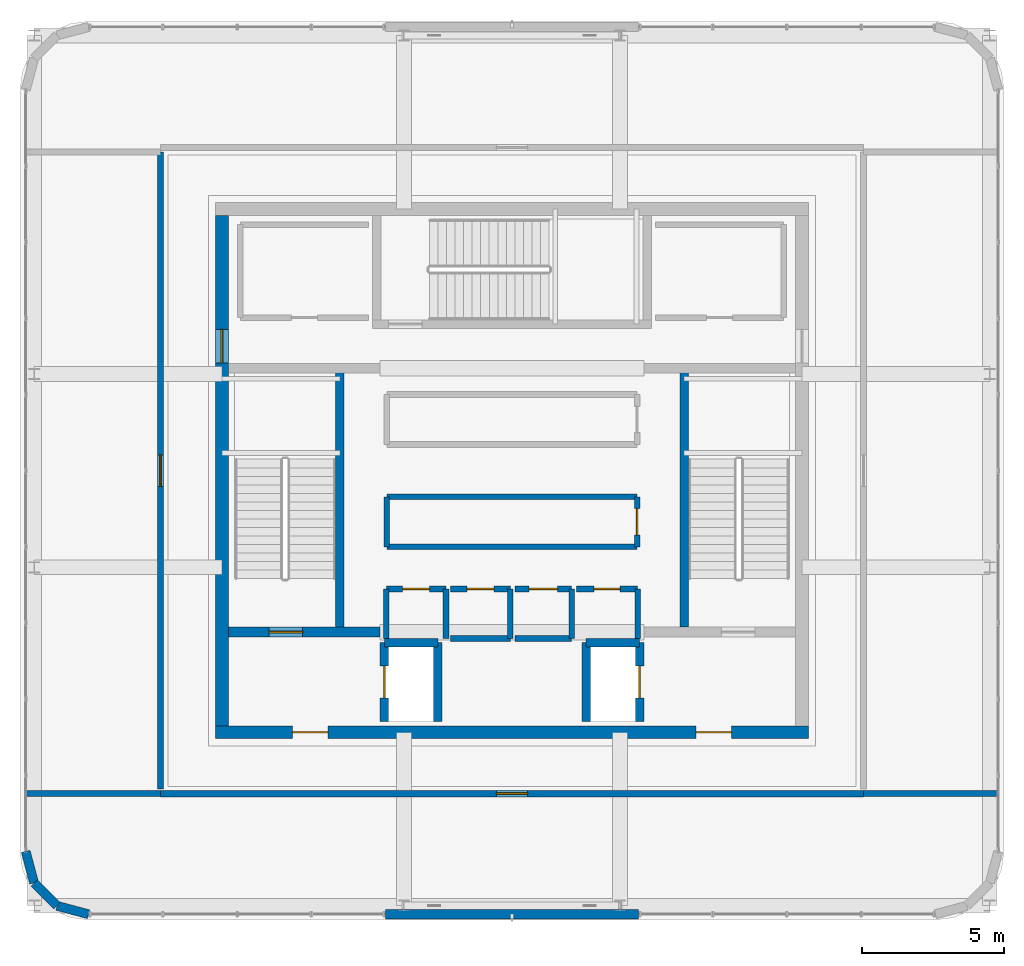
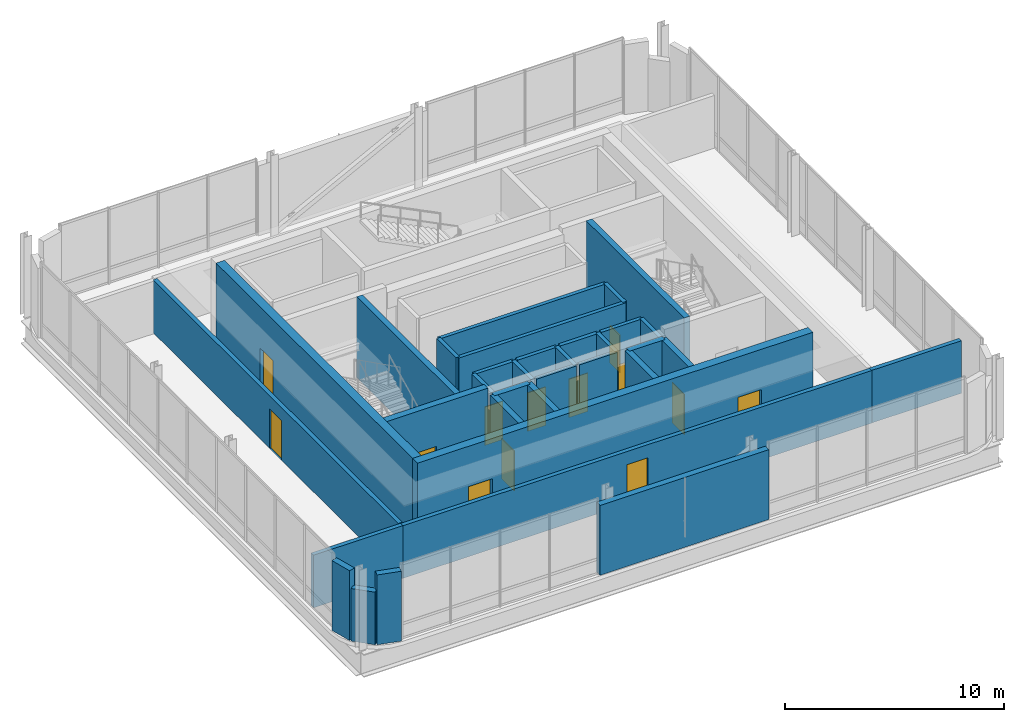
# One storey, part 20 of 25: 34 walls, 13 doors, 13 openings.
"""IFC4 building model written with IfcOpenShell, lengths in metres."""

from ifc_helpers import new_model, si_unit, direction, frame, frame_2d, origin, place, context, subcontext, project, spatial, rectangle, extrude, material, layer, layer_set, type_object, element, fill, save


model = new_model("IFC4")

# Units and contexts
model_context = context("Model", 3, precision=1e-05, world=origin(), true_north=direction((0.0, 1.0)))
body_context = subcontext(model_context, "Body", "Model", "MODEL_VIEW")
ifc_project = project(units=[si_unit("LENGTHUNIT", "METRE"), si_unit("AREAUNIT", "SQUARE_METRE"), si_unit("VOLUMEUNIT", "CUBIC_METRE"), si_unit("PLANEANGLEUNIT", "RADIAN"), si_unit("MASSUNIT", "GRAM", prefix="KILO")], contexts=[model_context])

# Site, building, storey
site_placement = place(None, origin())
site = spatial("IfcSite", under=ifc_project, at=site_placement, CompositionType="ELEMENT")
building_placement = place(site_placement, origin())
building = spatial("IfcBuilding", under=site, at=building_placement, Name="Punatoya Terracotta Tower", CompositionType="ELEMENT")
storey_placement = place(building_placement, frame((0.0, 0.0, 357.300048828125)))
storey = spatial("IfcBuildingStorey", under=building, at=storey_placement, Name="L84", CompositionType="ELEMENT", Elevation=357.300048828125)

# Wall, openings, doors
ifc_material_1 = material(Name="Concrete C50/60", Category="concrete")
ifc_layer_1 = layer(ifc_material_1, 0.449951171875)
ifc_layer_set_1 = layer_set([ifc_layer_1], Name="Concrete C50/60")
wall_type_1 = type_object("IfcWallType", Name="WL-COR-450", PredefinedType="SHEAR", material=ifc_layer_set_1)
wall_1_placement = place(storey_placement, frame((10.425048828125, -9.199951171875, 0.0), z_axis=(0.0, 0.0, 1.0), x_axis=(-1.0, 0.0, 0.0)))
wall_1 = element("IfcWall", 1, at=wall_1_placement, inside=storey, type_object=wall_type_1, Name="L84 Core Shear Wall S", PredefinedType="SHEAR", context=body_context, shape_type="SweptSolid", body=[
    extrude(rectangle(XDim=20.85009765625, YDim=0.449951171875, at=frame_2d((10.425048828125, 0.0))), origin(), (0.0, 0.0, 1.0), 4.5),
])
opening_1_placement = place(wall_1_placement, frame((2.699951171875, 0.0, 0.0)))
opening_1 = element("IfcOpeningElement", 2, at=opening_1_placement, cuts=wall_1, Name="Opening FD-L1", PredefinedType="OPENING", context=body_context, shape_type="SweptSolid", body=[
    extrude(rectangle(XDim=1.25, YDim=2.25, at=frame_2d((0.625, 1.125))), frame((0.0, 0.23486328125, 0.0), z_axis=(0.0, -1.0, 0.0), x_axis=(1.0, 0.0, 0.0)), (0.0, 0.0, 1.0), 0.469970703125),
])
opening_2_placement = place(wall_1_placement, frame((16.89990234375, 0.0, 0.0)))
opening_2 = element("IfcOpeningElement", 3, at=opening_2_placement, cuts=wall_1, Name="Opening FD-L1", PredefinedType="OPENING", context=body_context, shape_type="SweptSolid", body=[
    extrude(rectangle(XDim=1.25, YDim=2.25, at=frame_2d((0.625, 1.125))), frame((0.0, 0.23486328125, 0.0), z_axis=(0.0, -1.0, 0.0), x_axis=(1.0, 0.0, 0.0)), (0.0, 0.0, 1.0), 0.469970703125),
])
ifc_material_2 = material(Name="Galvanised Steel Smokeproof Fire Door", Category="steel")
door_type_1 = type_object("IfcDoorType", Name="DR-FFL-1250", OperationType="NOTDEFINED", PredefinedType="DOOR", material=ifc_material_2)
door_1_placement = place(opening_1_placement, origin())
door_1 = element("IfcDoor", 4, at=door_1_placement, inside=storey, type_object=door_type_1, Name="L84 East Firefighting Lobby Corridor Fire Door", OperationType="SINGLE_SWING_LEFT", OverallHeight=2.25, OverallWidth=1.25, PredefinedType="DOOR", context=body_context, shape_type="SweptSolid", body=[
    extrude(rectangle(XDim=1.25, YDim=2.25, at=frame_2d((0.625, 1.125))), frame((0.0, 0.02490234375, 0.0), z_axis=(0.0, -1.0, 0.0), x_axis=(1.0, 0.0, 0.0)), (0.0, 0.0, 1.0), 0.050048828125),
])
fill(opening_1, door_1)
door_2_placement = place(opening_2_placement, origin())
door_2 = element("IfcDoor", 5, at=door_2_placement, inside=storey, type_object=door_type_1, Name="L84 West Firefighting Lobby Corridor Fire Door", OperationType="SINGLE_SWING_RIGHT", OverallHeight=2.25, OverallWidth=1.25, PredefinedType="DOOR", context=body_context, shape_type="SweptSolid", body=[
    extrude(rectangle(XDim=1.25, YDim=2.25, at=frame_2d((0.625, 1.125))), frame((0.0, 0.02490234375, 0.0), z_axis=(0.0, -1.0, 0.0), x_axis=(1.0, 0.0, 0.0)), (0.0, 0.0, 1.0), 0.050048828125),
])
fill(opening_2, door_2)

# Wall, opening, door
wall_2_placement = place(storey_placement, frame((-10.199951171875, -8.97509765625, 0.0), z_axis=(0.0, 0.0, 1.0), x_axis=(0.0, 1.0, 0.0)))
wall_2 = element("IfcWall", 6, at=wall_2_placement, inside=storey, type_object=wall_type_1, Name="L84 Core Shear Wall W", PredefinedType="SHEAR", context=body_context, shape_type="SweptSolid", body=[
    extrude(rectangle(XDim=17.9501953125, YDim=0.449951171875, at=frame_2d((8.97509765625, 0.0))), origin(), (0.0, 0.0, 1.0), 4.5),
])
opening_3_placement = place(wall_2_placement, frame((12.764892578125, 0.0, 0.0)))
opening_3 = element("IfcOpeningElement", 7, at=opening_3_placement, cuts=wall_2, Name="Opening SD-01", PredefinedType="OPENING", context=body_context, shape_type="SweptSolid", body=[
    extrude(rectangle(XDim=1.179931640625, YDim=2.199951171875, at=frame_2d((0.58984375, 1.10009765625))), frame((0.0, 0.23486328125, 0.0), z_axis=(0.0, -1.0, 0.0), x_axis=(1.0, 0.0, 0.0)), (0.0, 0.0, 1.0), 0.469970703125),
])
ifc_material_3 = material(Name="Galvanised Steel Pressurized Stair Fire Door", Category="steel")
door_type_2 = type_object("IfcDoorType", Name="DR-STR-1180", OperationType="NOTDEFINED", PredefinedType="DOOR", material=ifc_material_3)
door_3_placement = place(opening_3_placement, origin())
door_3 = element("IfcDoor", 8, at=door_3_placement, inside=storey, type_object=door_type_2, Name="L84 Central Lift Lobby West Fire Door", OperationType="SINGLE_SWING_LEFT", OverallHeight=2.199951171875, OverallWidth=1.179931640625, PredefinedType="DOOR", context=body_context, shape_type="SweptSolid", body=[
    extrude(rectangle(XDim=1.179931640625, YDim=2.199951171875, at=frame_2d((0.58984375, 1.10009765625))), frame((0.0, 0.02490234375, 0.0), z_axis=(0.0, -1.0, 0.0), x_axis=(1.0, 0.0, 0.0)), (0.0, 0.0, 1.0), 0.050048828125),
])
fill(opening_3, door_3)

# Walls
ifc_material_4 = material(Name="Precast concrete C40/50", Category="concrete")
ifc_layer_2 = layer(ifc_material_4, 0.320068359375)
ifc_layer_set_2 = layer_set([ifc_layer_2], Name="Precast concrete C40/50")
wall_type_2 = type_object("IfcWallType", Name="WL-EXT-320", PredefinedType="SOLIDWALL", material=ifc_layer_set_2)
wall_3_placement = place(storey_placement, frame((-4.449951171875, -15.60009765625, 0.0), z_axis=(0.0, 0.0, 1.0), x_axis=(1.0, 0.0, 0.0)))
element("IfcWall", 9, at=wall_3_placement, inside=storey, type_object=wall_type_2, Name="L84 Terracotta Braced Facade Wall S1", PredefinedType="SOLIDWALL", context=body_context, shape_type="SweptSolid", body=[
    extrude(rectangle(XDim=8.89990234375, YDim=0.320068359375, at=frame_2d((4.449951171875, 0.0))), origin(), (0.0, 0.0, 1.0), 3.89404296875),
])
wall_4_placement = place(storey_placement, frame((-17.10009765625, -13.386962890625, 0.0), z_axis=(0.0, 0.0, 1.0), x_axis=(0.257530614576, -0.966270139534, 0.0)))
element("IfcWall", 10, at=wall_4_placement, inside=storey, type_object=wall_type_2, Name="L84 Rounded Terracotta Corner Pier 14", PredefinedType="SOLIDWALL", context=body_context, shape_type="SweptSolid", body=[
    extrude(rectangle(XDim=1.15087890625, YDim=0.320068359375, at=frame_2d((0.575439453125, 0.0))), origin(), (0.0, 0.0, 1.0), 3.89404296875),
])
wall_5_placement = place(storey_placement, frame((-16.8037109375, -14.4990234375, 0.0), z_axis=(0.0, 0.0, 1.0), x_axis=(0.707106781187, -0.707106781187, 0.0)))
element("IfcWall", 11, at=wall_5_placement, inside=storey, type_object=wall_type_2, Name="L84 Rounded Terracotta Corner Pier 15", PredefinedType="SOLIDWALL", context=body_context, shape_type="SweptSolid", body=[
    extrude(rectangle(XDim=1.137939453125, YDim=0.320068359375, at=frame_2d((0.56884765625, 0.0))), origin(), (0.0, 0.0, 1.0), 2.933837890625),
])
wall_6_placement = place(storey_placement, frame((-15.9990234375, -15.3037109375, 0.0), z_axis=(0.0, 0.0, 1.0), x_axis=(0.966270139534, -0.257530614576, 0.0)))
element("IfcWall", 12, at=wall_6_placement, inside=storey, type_object=wall_type_2, Name="L84 Rounded Terracotta Corner Pier 16", PredefinedType="SOLIDWALL", context=body_context, shape_type="SweptSolid", body=[
    extrude(rectangle(XDim=1.15087890625, YDim=0.320068359375, at=frame_2d((0.575439453125, 0.0))), origin(), (0.0, 0.0, 1.0), 3.89404296875),
])
ifc_material_5 = material(Name="Concrete C40/50", Category="concrete")
ifc_layer_3 = layer(ifc_material_5, 0.219970703125)
ifc_layer_set_3 = layer_set([ifc_layer_3], Name="Concrete C40/50")
wall_type_3 = type_object("IfcWallType", Name="WL-FIR-220", PredefinedType="SOLIDWALL", material=ifc_layer_set_3)
wall_7_placement = place(storey_placement, frame((-17.080078125, -11.35009765625, 0.0), z_axis=(0.0, 0.0, 1.0), x_axis=(1.0, 0.0, 0.0)))
element("IfcWall", 13, at=wall_7_placement, inside=storey, type_object=wall_type_3, Name="L84 Crown South Heat-Rejection and Cooling-Tower Plant Partition 26", PredefinedType="SOLIDWALL", context=body_context, shape_type="SweptSolid", body=[
    extrude(rectangle(XDim=4.719970703125, YDim=0.219970703125, at=frame_2d((2.35986328125, 0.0))), origin(), (0.0, 0.0, 1.0), 2.933837890625),
])

# Wall, opening, door
wall_8_placement = place(storey_placement, frame((-12.360107421875, -11.360107421875, 0.0), z_axis=(0.0, 0.0, 1.0), x_axis=(1.0, 0.0, 0.0)))
wall_8 = element("IfcWall", 14, at=wall_8_placement, inside=storey, type_object=wall_type_3, Name="L84 Crown South Heat-Rejection and Cooling-Tower Plant Partition 27", PredefinedType="SOLIDWALL", context=body_context, shape_type="SweptSolid", body=[
    extrude(rectangle(XDim=24.72021484375, YDim=0.219970703125, at=frame_2d((12.360107421875, 0.0))), origin(), (0.0, 0.0, 1.0), 2.933837890625),
])
opening_4_placement = place(wall_8_placement, frame((11.81005859375, 0.0, 0.0)))
opening_4 = element("IfcOpeningElement", 15, at=opening_4_placement, cuts=wall_8, Name="Opening FD-P1", PredefinedType="OPENING", context=body_context, shape_type="SweptSolid", body=[
    extrude(rectangle(XDim=1.10009765625, YDim=2.199951171875, at=frame_2d((0.550048828125, 1.10009765625))), frame((0.0, 0.119873046875, 0.0), z_axis=(0.0, -1.0, 0.0), x_axis=(1.0, 0.0, 0.0)), (0.0, 0.0, 1.0), 0.239990234375),
])
ifc_material_6 = material(Name="Galvanised Steel Plant Fire Door", Category="steel")
door_type_3 = type_object("IfcDoorType", Name="DR-PLT-1100", OperationType="NOTDEFINED", PredefinedType="DOOR", material=ifc_material_6)
door_4_placement = place(opening_4_placement, origin())
door_4 = element("IfcDoor", 16, at=door_4_placement, inside=storey, type_object=door_type_3, Name="L84 Crown South Heat-Rejection and Cooling-Tower Plant Fire Door", OperationType="SINGLE_SWING_RIGHT", OverallHeight=2.199951171875, OverallWidth=1.10009765625, PredefinedType="DOOR", context=body_context, shape_type="SweptSolid", body=[
    extrude(rectangle(XDim=1.10009765625, YDim=2.199951171875, at=frame_2d((0.550048828125, 1.10009765625))), frame((0.0, 0.02490234375, 0.0), z_axis=(0.0, -1.0, 0.0), x_axis=(1.0, 0.0, 0.0)), (0.0, 0.0, 1.0), 0.050048828125),
])
fill(opening_4, door_4)

# Wall
wall_9_placement = place(storey_placement, frame((12.360107421875, -11.35009765625, 0.0), z_axis=(0.0, 0.0, 1.0), x_axis=(1.0, 0.0, 0.0)))
element("IfcWall", 17, at=wall_9_placement, inside=storey, type_object=wall_type_3, Name="L84 Crown South Heat-Rejection and Cooling-Tower Plant Partition 28", PredefinedType="SOLIDWALL", context=body_context, shape_type="SweptSolid", body=[
    extrude(rectangle(XDim=4.719970703125, YDim=0.219970703125, at=frame_2d((2.35986328125, 0.0))), origin(), (0.0, 0.0, 1.0), 2.933837890625),
])

# Wall, opening, door
wall_10_placement = place(storey_placement, frame((-12.360107421875, 11.199951171875, 0.0), z_axis=(0.0, 0.0, 1.0), x_axis=(0.0, -1.0, 0.0)))
wall_10 = element("IfcWall", 18, at=wall_10_placement, inside=storey, type_object=wall_type_3, Name="L84 Crown West Smoke-Extract and Fan Plant Room Partition 30", PredefinedType="SOLIDWALL", context=body_context, shape_type="SweptSolid", body=[
    extrude(rectangle(XDim=22.39990234375, YDim=0.219970703125, at=frame_2d((11.199951171875, 0.0))), origin(), (0.0, 0.0, 1.0), 2.933837890625),
])
opening_5_placement = place(wall_10_placement, frame((10.64990234375, 0.0, 0.0)))
opening_5 = element("IfcOpeningElement", 19, at=opening_5_placement, cuts=wall_10, Name="Opening FD-P1", PredefinedType="OPENING", context=body_context, shape_type="SweptSolid", body=[
    extrude(rectangle(XDim=1.10009765625, YDim=2.199951171875, at=frame_2d((0.550048828125, 1.10009765625))), frame((0.0, 0.119873046875, 0.0), z_axis=(0.0, -1.0, 0.0), x_axis=(1.0, 0.0, 0.0)), (0.0, 0.0, 1.0), 0.239990234375),
])
door_5_placement = place(opening_5_placement, origin())
door_5 = element("IfcDoor", 20, at=door_5_placement, inside=storey, type_object=door_type_3, Name="L84 Crown West Smoke-Extract and Fan Plant Room Fire Door", OperationType="SINGLE_SWING_LEFT", OverallHeight=2.199951171875, OverallWidth=1.10009765625, PredefinedType="DOOR", context=body_context, shape_type="SweptSolid", body=[
    extrude(rectangle(XDim=1.10009765625, YDim=2.199951171875, at=frame_2d((0.550048828125, 1.10009765625))), frame((0.0, 0.02490234375, 0.0), z_axis=(0.0, -1.0, 0.0), x_axis=(1.0, 0.0, 0.0)), (0.0, 0.0, 1.0), 0.050048828125),
])
fill(opening_5, door_5)

# Wall
ifc_layer_4 = layer(ifc_material_5, 0.199951171875)
ifc_layer_set_4 = layer_set([ifc_layer_4], Name="Concrete C40/50")
wall_type_4 = type_object("IfcWallType", Name="WL-INT-200", PredefinedType="SOLIDWALL", material=ifc_layer_set_4)
wall_11_placement = place(storey_placement, frame((-2.320068359375, -5.89990234375, 0.0), z_axis=(0.0, 0.0, 1.0), x_axis=(0.0, 1.0, 0.0)))
element("IfcWall", 21, at=wall_11_placement, inside=storey, type_object=wall_type_4, Name="L84 Staff Male Washroom Partition 01", PredefinedType="SOLIDWALL", context=body_context, shape_type="SweptSolid", body=[
    extrude(rectangle(XDim=1.739990234375, YDim=0.199951171875, at=frame_2d((0.8701171875, 0.0))), origin(), (0.0, 0.0, 1.0), 4.219970703125),
])

# Wall, opening, door
wall_12_placement = place(storey_placement, frame((-2.320068359375, -4.159912109375, 0.0), z_axis=(0.0, 0.0, 1.0), x_axis=(-1.0, 0.0, 0.0)))
wall_12 = element("IfcWall", 22, at=wall_12_placement, inside=storey, type_object=wall_type_4, Name="L84 Staff Male Washroom Partition 02", PredefinedType="SOLIDWALL", context=body_context, shape_type="SweptSolid", body=[
    extrude(rectangle(XDim=2.099853515625, YDim=0.199951171875, at=frame_2d((1.0498046875, 0.0))), origin(), (0.0, 0.0, 1.0), 4.219970703125),
])
opening_6_placement = place(wall_12_placement, frame((0.574951171875, 0.0, 0.0)))
opening_6 = element("IfcOpeningElement", 23, at=opening_6_placement, cuts=wall_12, Name="Opening WD-01", PredefinedType="OPENING", context=body_context, shape_type="SweptSolid", body=[
    extrude(rectangle(XDim=0.949951171875, YDim=2.14990234375, at=frame_2d((0.47509765625, 1.074951171875))), frame((0.0, 0.10986328125, 0.0), z_axis=(0.0, -1.0, 0.0), x_axis=(1.0, 0.0, 0.0)), (0.0, 0.0, 1.0), 0.219970703125),
])
ifc_material_7 = material(Name="Moisture-Resistant Laminate Timber Leaf", Category="wood")
door_type_4 = type_object("IfcDoorType", Name="DR-WC-950", OperationType="NOTDEFINED", PredefinedType="DOOR", material=ifc_material_7)
door_6_placement = place(opening_6_placement, origin())
door_6 = element("IfcDoor", 24, at=door_6_placement, inside=storey, type_object=door_type_4, Name="L84 Staff Male Washroom Door", OperationType="SINGLE_SWING_RIGHT", OverallHeight=2.14990234375, OverallWidth=0.949951171875, PredefinedType="DOOR", context=body_context, shape_type="SweptSolid", body=[
    extrude(rectangle(XDim=0.949951171875, YDim=2.14990234375, at=frame_2d((0.47509765625, 1.074951171875))), frame((0.0, 0.02490234375, 0.0), z_axis=(0.0, -1.0, 0.0), x_axis=(1.0, 0.0, 0.0)), (0.0, 0.0, 1.0), 0.050048828125),
])
fill(opening_6, door_6)

# Walls
for number, where, z_axis, x_axis, name in (
    (25, (-4.419921875, -4.159912109375, 0.0), (0.0, 0.0, 1.0), (0.0, -1.0, 0.0), "L84 Staff Male Washroom Partition 03"),
    (26, (-0.06005859375, -5.89990234375, 0.0), (0.0, 0.0, 1.0), (0.0, 1.0, 0.0), "L84 Staff Female Washroom Partition 04"),
):
    element("IfcWall", number, at=place(storey_placement, frame(where, z_axis=z_axis, x_axis=x_axis)), inside=storey, type_object=wall_type_4, Name=name, PredefinedType="SOLIDWALL", context=body_context, shape_type="SweptSolid", body=[
        extrude(rectangle(XDim=1.739990234375, YDim=0.199951171875, at=frame_2d((0.8701171875, 0.0))), origin(), (0.0, 0.0, 1.0), 4.219970703125),
    ])

# Wall, opening, door
wall_13_placement = place(storey_placement, frame((-0.06005859375, -4.159912109375, 0.0), z_axis=(0.0, 0.0, 1.0), x_axis=(-1.0, 0.0, 0.0)))
wall_13 = element("IfcWall", 27, at=wall_13_placement, inside=storey, type_object=wall_type_4, Name="L84 Staff Female Washroom Partition 05", PredefinedType="SOLIDWALL", context=body_context, shape_type="SweptSolid", body=[
    extrude(rectangle(XDim=2.099853515625, YDim=0.199951171875, at=frame_2d((1.0498046875, 0.0))), origin(), (0.0, 0.0, 1.0), 4.219970703125),
])
opening_7_placement = place(wall_13_placement, frame((0.574951171875, 0.0, 0.0)))
opening_7 = element("IfcOpeningElement", 28, at=opening_7_placement, cuts=wall_13, Name="Opening WD-01", PredefinedType="OPENING", context=body_context, shape_type="SweptSolid", body=[
    extrude(rectangle(XDim=0.949951171875, YDim=2.14990234375, at=frame_2d((0.47509765625, 1.074951171875))), frame((0.0, 0.10986328125, 0.0), z_axis=(0.0, -1.0, 0.0), x_axis=(1.0, 0.0, 0.0)), (0.0, 0.0, 1.0), 0.219970703125),
])
door_7_placement = place(opening_7_placement, origin())
door_7 = element("IfcDoor", 29, at=door_7_placement, inside=storey, type_object=door_type_4, Name="L84 Staff Female Washroom Door", OperationType="SINGLE_SWING_LEFT", OverallHeight=2.14990234375, OverallWidth=0.949951171875, PredefinedType="DOOR", context=body_context, shape_type="SweptSolid", body=[
    extrude(rectangle(XDim=0.949951171875, YDim=2.14990234375, at=frame_2d((0.47509765625, 1.074951171875))), frame((0.0, 0.02490234375, 0.0), z_axis=(0.0, -1.0, 0.0), x_axis=(1.0, 0.0, 0.0)), (0.0, 0.0, 1.0), 0.050048828125),
])
fill(opening_7, door_7)

# Walls
wall_14_placement = place(storey_placement, frame((-2.159912109375, -5.89990234375, 0.0), z_axis=(0.0, 0.0, 1.0), x_axis=(1.0, 0.0, 0.0)))
element("IfcWall", 30, at=wall_14_placement, inside=storey, type_object=wall_type_4, Name="L84 Staff Female Washroom Partition 06", PredefinedType="SOLIDWALL", context=body_context, shape_type="SweptSolid", body=[
    extrude(rectangle(XDim=2.099853515625, YDim=0.199951171875, at=frame_2d((1.0498046875, 0.0))), origin(), (0.0, 0.0, 1.0), 4.219970703125),
])
wall_15_placement = place(storey_placement, frame((2.10009765625, -5.89990234375, 0.0), z_axis=(0.0, 0.0, 1.0), x_axis=(0.0, 1.0, 0.0)))
element("IfcWall", 31, at=wall_15_placement, inside=storey, type_object=wall_type_4, Name="L84 Accessible Universal Washroom Partition 07", PredefinedType="SOLIDWALL", context=body_context, shape_type="SweptSolid", body=[
    extrude(rectangle(XDim=1.739990234375, YDim=0.199951171875, at=frame_2d((0.8701171875, 0.0))), origin(), (0.0, 0.0, 1.0), 4.219970703125),
])

# Wall, opening, door
wall_16_placement = place(storey_placement, frame((2.10009765625, -4.159912109375, 0.0), z_axis=(0.0, 0.0, 1.0), x_axis=(-1.0, 0.0, 0.0)))
wall_16 = element("IfcWall", 32, at=wall_16_placement, inside=storey, type_object=wall_type_4, Name="L84 Accessible Universal Washroom Partition 08", PredefinedType="SOLIDWALL", context=body_context, shape_type="SweptSolid", body=[
    extrude(rectangle(XDim=2.0, YDim=0.199951171875, at=frame_2d((1.0, 0.0))), origin(), (0.0, 0.0, 1.0), 4.219970703125),
])
opening_8_placement = place(wall_16_placement, frame((0.5, 0.0, 0.0)))
opening_8 = element("IfcOpeningElement", 33, at=opening_8_placement, cuts=wall_16, Name="Opening AWD-1", PredefinedType="OPENING", context=body_context, shape_type="SweptSolid", body=[
    extrude(rectangle(XDim=1.0, YDim=2.14990234375, at=frame_2d((0.5, 1.074951171875))), frame((0.0, 0.10986328125, 0.0), z_axis=(0.0, -1.0, 0.0), x_axis=(1.0, 0.0, 0.0)), (0.0, 0.0, 1.0), 0.219970703125),
])
ifc_material_8 = material(Name="Bengal Teak Accessible WC Leaf")
door_type_5 = type_object("IfcDoorType", Name="DR-ACC-1000", OperationType="NOTDEFINED", PredefinedType="DOOR", material=ifc_material_8)
door_8_placement = place(opening_8_placement, origin())
door_8 = element("IfcDoor", 34, at=door_8_placement, inside=storey, type_object=door_type_5, Name="L84 Accessible Universal Washroom Door", OperationType="SINGLE_SWING_RIGHT", OverallHeight=2.14990234375, OverallWidth=1.0, PredefinedType="DOOR", context=body_context, shape_type="SweptSolid", body=[
    extrude(rectangle(XDim=1.0, YDim=2.14990234375, at=frame_2d((0.5, 1.074951171875))), frame((0.0, 0.02490234375, 0.0), z_axis=(0.0, -1.0, 0.0), x_axis=(1.0, 0.0, 0.0)), (0.0, 0.0, 1.0), 0.050048828125),
])
fill(opening_8, door_8)

# Walls
wall_17_placement = place(storey_placement, frame((0.10009765625, -5.89990234375, 0.0), z_axis=(0.0, 0.0, 1.0), x_axis=(1.0, 0.0, 0.0)))
element("IfcWall", 35, at=wall_17_placement, inside=storey, type_object=wall_type_4, Name="L84 Accessible Universal Washroom Partition 09", PredefinedType="SOLIDWALL", context=body_context, shape_type="SweptSolid", body=[
    extrude(rectangle(XDim=2.0, YDim=0.199951171875, at=frame_2d((1.0, 0.0))), origin(), (0.0, 0.0, 1.0), 4.219970703125),
])
wall_18_placement = place(storey_placement, frame((4.419921875, -5.89990234375, 0.0), z_axis=(0.0, 0.0, 1.0), x_axis=(0.0, 1.0, 0.0)))
element("IfcWall", 36, at=wall_18_placement, inside=storey, type_object=wall_type_4, Name="L84 Core Electrical Switchgear Room Partition 10", PredefinedType="SOLIDWALL", context=body_context, shape_type="SweptSolid", body=[
    extrude(rectangle(XDim=1.739990234375, YDim=0.199951171875, at=frame_2d((0.8701171875, 0.0))), origin(), (0.0, 0.0, 1.0), 4.219970703125),
])

# Wall, opening, door
wall_19_placement = place(storey_placement, frame((4.419921875, -4.159912109375, 0.0), z_axis=(0.0, 0.0, 1.0), x_axis=(-1.0, 0.0, 0.0)))
wall_19 = element("IfcWall", 37, at=wall_19_placement, inside=storey, type_object=wall_type_4, Name="L84 Core Electrical Switchgear Room Partition 11", PredefinedType="SOLIDWALL", context=body_context, shape_type="SweptSolid", body=[
    extrude(rectangle(XDim=2.159912109375, YDim=0.199951171875, at=frame_2d((1.080078125, 0.0))), origin(), (0.0, 0.0, 1.0), 4.219970703125),
])
opening_9_placement = place(wall_19_placement, frame((0.6201171875, 0.0, 0.0)))
opening_9 = element("IfcOpeningElement", 38, at=opening_9_placement, cuts=wall_19, Name="Opening FD-R1", PredefinedType="OPENING", context=body_context, shape_type="SweptSolid", body=[
    extrude(rectangle(XDim=0.919921875, YDim=2.10009765625, at=frame_2d((0.4599609375, 1.050048828125))), frame((0.0, 0.10986328125, 0.0), z_axis=(0.0, -1.0, 0.0), x_axis=(1.0, 0.0, 0.0)), (0.0, 0.0, 1.0), 0.219970703125),
])
ifc_material_9 = material(Name="Galvanised Steel Riser Fire Access Door", Category="steel")
door_type_6 = type_object("IfcDoorType", Name="DR-RSR-920", OperationType="NOTDEFINED", PredefinedType="DOOR", material=ifc_material_9)
door_9_placement = place(opening_9_placement, origin())
door_9 = element("IfcDoor", 39, at=door_9_placement, inside=storey, type_object=door_type_6, Name="L84 Core Electrical Switchgear Room Fire Door", OperationType="SINGLE_SWING_LEFT", OverallHeight=2.10009765625, OverallWidth=0.919921875, PredefinedType="DOOR", context=body_context, shape_type="SweptSolid", body=[
    extrude(rectangle(XDim=0.919921875, YDim=2.10009765625, at=frame_2d((0.4599609375, 1.050048828125))), frame((0.0, 0.02490234375, 0.0), z_axis=(0.0, -1.0, 0.0), x_axis=(1.0, 0.0, 0.0)), (0.0, 0.0, 1.0), 0.050048828125),
])
fill(opening_9, door_9)

wall_20_placement = place(storey_placement, frame((4.39990234375, -2.679931640625, 0.0), z_axis=(0.0, 0.0, 1.0), x_axis=(0.0, 1.0, 0.0)))
wall_20 = element("IfcWall", 40, at=wall_20_placement, inside=storey, type_object=wall_type_4, Name="L84 Crown Emergency Power Switchroom Partition 12", PredefinedType="SOLIDWALL", context=body_context, shape_type="SweptSolid", body=[
    extrude(rectangle(XDim=1.760009765625, YDim=0.199951171875, at=frame_2d((0.8798828125, 0.0))), origin(), (0.0, 0.0, 1.0), 4.219970703125),
])
opening_10_placement = place(wall_20_placement, frame((0.419921875, 0.0, 0.0)))
opening_10 = element("IfcOpeningElement", 41, at=opening_10_placement, cuts=wall_20, Name="Opening FD-R1", PredefinedType="OPENING", context=body_context, shape_type="SweptSolid", body=[
    extrude(rectangle(XDim=0.919921875, YDim=2.10009765625, at=frame_2d((0.4599609375, 1.050048828125))), frame((0.0, 0.10986328125, 0.0), z_axis=(0.0, -1.0, 0.0), x_axis=(1.0, 0.0, 0.0)), (0.0, 0.0, 1.0), 0.219970703125),
])
door_10_placement = place(opening_10_placement, origin())
door_10 = element("IfcDoor", 42, at=door_10_placement, inside=storey, type_object=door_type_6, Name="L84 Crown Emergency Power Switchroom Fire Door", OperationType="SINGLE_SWING_RIGHT", OverallHeight=2.10009765625, OverallWidth=0.919921875, PredefinedType="DOOR", context=body_context, shape_type="SweptSolid", body=[
    extrude(rectangle(XDim=0.919921875, YDim=2.10009765625, at=frame_2d((0.4599609375, 1.050048828125))), frame((0.0, 0.02490234375, 0.0), z_axis=(0.0, -1.0, 0.0), x_axis=(1.0, 0.0, 0.0)), (0.0, 0.0, 1.0), 0.050048828125),
])
fill(opening_10, door_10)

# Walls
wall_21_placement = place(storey_placement, frame((4.39990234375, -0.919921875, 0.0), z_axis=(0.0, 0.0, 1.0), x_axis=(-1.0, 0.0, 0.0)))
element("IfcWall", 43, at=wall_21_placement, inside=storey, type_object=wall_type_4, Name="L84 Crown Emergency Power Switchroom Partition 13", PredefinedType="SOLIDWALL", context=body_context, shape_type="SweptSolid", body=[
    extrude(rectangle(XDim=8.7998046875, YDim=0.199951171875, at=frame_2d((4.39990234375, 0.0))), origin(), (0.0, 0.0, 1.0), 4.219970703125),
])
wall_22_placement = place(storey_placement, frame((-4.39990234375, -0.919921875, 0.0), z_axis=(0.0, 0.0, 1.0), x_axis=(0.0, -1.0, 0.0)))
element("IfcWall", 44, at=wall_22_placement, inside=storey, type_object=wall_type_4, Name="L84 Crown Emergency Power Switchroom Partition 14", PredefinedType="SOLIDWALL", context=body_context, shape_type="SweptSolid", body=[
    extrude(rectangle(XDim=1.760009765625, YDim=0.199951171875, at=frame_2d((0.8798828125, 0.0))), origin(), (0.0, 0.0, 1.0), 4.219970703125),
])
wall_23_placement = place(storey_placement, frame((-4.39990234375, -2.679931640625, 0.0), z_axis=(0.0, 0.0, 1.0), x_axis=(1.0, 0.0, 0.0)))
element("IfcWall", 45, at=wall_23_placement, inside=storey, type_object=wall_type_4, Name="L84 Crown Emergency Power Switchroom Partition 15", PredefinedType="SOLIDWALL", context=body_context, shape_type="SweptSolid", body=[
    extrude(rectangle(XDim=8.7998046875, YDim=0.199951171875, at=frame_2d((4.39990234375, 0.0))), origin(), (0.0, 0.0, 1.0), 4.219970703125),
])
ifc_layer_5 = layer(ifc_material_5, 0.300048828125)
ifc_layer_set_5 = layer_set([ifc_layer_5], Name="Concrete C40/50")
wall_type_5 = type_object("IfcWallType", Name="WL-SHF-300", PredefinedType="SOLIDWALL", material=ifc_layer_set_5)
for number, where, z_axis, x_axis, name in (
    (46, (-6.050048828125, -5.5, 0.0), (0.0, 0.0, 1.0), (0.0, 1.0, 0.0), "L84 Structural Stair Shaft Wall SW-ST1-E"),
    (47, (6.050048828125, 3.449951171875, 0.0), (0.0, 0.0, 1.0), (0.0, -1.0, 0.0), "L84 Structural Stair Shaft Wall SW-ST2-W"),
):
    element("IfcWall", number, at=place(storey_placement, frame(where, z_axis=z_axis, x_axis=x_axis)), inside=storey, type_object=wall_type_5, Name=name, PredefinedType="SOLIDWALL", context=body_context, shape_type="SweptSolid", body=[
        extrude(rectangle(XDim=8.949951171875, YDim=0.300048828125, at=frame_2d((4.47509765625, 0.0))), origin(), (0.0, 0.0, 1.0), 4.5),
    ])

# Wall, opening, door
wall_24_placement = place(storey_placement, frame((-4.489990234375, -8.820068359375, 0.0), z_axis=(0.0, 0.0, 1.0), x_axis=(0.0, 1.0, 0.0)))
wall_24 = element("IfcWall", 48, at=wall_24_placement, inside=storey, type_object=wall_type_5, Name="L84 FFL-1 Front Hoistway Wall", PredefinedType="SOLIDWALL", context=body_context, shape_type="SweptSolid", body=[
    extrude(rectangle(XDim=2.77001953125, YDim=0.300048828125, at=frame_2d((1.385009765625, 0.0))), origin(), (0.0, 0.0, 1.0), 4.219970703125),
])
opening_11_placement = place(wall_24_placement, frame((0.824951171875, 0.0, 0.0)))
opening_11 = element("IfcOpeningElement", 49, at=opening_11_placement, cuts=wall_24, Name="Opening LD-02", PredefinedType="OPENING", context=body_context, shape_type="SweptSolid", body=[
    extrude(rectangle(XDim=1.1201171875, YDim=2.25, at=frame_2d((0.56005859375, 1.125))), frame((0.0, 0.159912109375, 0.0), z_axis=(0.0, -1.0, 0.0), x_axis=(1.0, 0.0, 0.0)), (0.0, 0.0, 1.0), 0.320068359375),
])
ifc_material_10 = material(Name="Stainless Steel Lift Landing Door", Category="steel")
door_type_7 = type_object("IfcDoorType", Name="DR-LND-1120", OperationType="NOTDEFINED", PredefinedType="DOOR", material=ifc_material_10)
door_11_placement = place(opening_11_placement, origin())
door_11 = element("IfcDoor", 50, at=door_11_placement, inside=storey, type_object=door_type_7, Name="L84 Firefighting Lift FFL-1 Sliding Landing Door", OperationType="SLIDING_TO_LEFT", OverallHeight=2.25, OverallWidth=1.1201171875, PredefinedType="DOOR", context=body_context, shape_type="SweptSolid", body=[
    extrude(rectangle(XDim=1.1201171875, YDim=2.25, at=frame_2d((0.56005859375, 1.125))), frame((0.0, 0.02490234375, 0.0), z_axis=(0.0, -1.0, 0.0), x_axis=(1.0, 0.0, 0.0)), (0.0, 0.0, 1.0), 0.050048828125),
])
fill(opening_11, door_11)

# Walls
wall_25_placement = place(storey_placement, frame((-2.610107421875, -8.820068359375, 0.0), z_axis=(0.0, 0.0, 1.0), x_axis=(0.0, 1.0, 0.0)))
element("IfcWall", 51, at=wall_25_placement, inside=storey, type_object=wall_type_5, Name="L84 FFL-1 Rear Hoistway Wall", PredefinedType="SOLIDWALL", context=body_context, shape_type="SweptSolid", body=[
    extrude(rectangle(XDim=2.77001953125, YDim=0.300048828125, at=frame_2d((1.385009765625, 0.0))), origin(), (0.0, 0.0, 1.0), 4.219970703125),
])
wall_26_placement = place(storey_placement, frame((-4.489990234375, -6.050048828125, 0.0), z_axis=(0.0, 0.0, 1.0), x_axis=(1.0, 0.0, 0.0)))
element("IfcWall", 52, at=wall_26_placement, inside=storey, type_object=wall_type_5, Name="L84 FFL-1 North Hoistway Wall", PredefinedType="SOLIDWALL", context=body_context, shape_type="SweptSolid", body=[
    extrude(rectangle(XDim=1.8798828125, YDim=0.300048828125, at=frame_2d((0.93994140625, 0.0))), origin(), (0.0, 0.0, 1.0), 4.219970703125),
])

# Wall, opening, door
wall_27_placement = place(storey_placement, frame((4.489990234375, -8.820068359375, 0.0), z_axis=(0.0, 0.0, 1.0), x_axis=(0.0, 1.0, 0.0)))
wall_27 = element("IfcWall", 53, at=wall_27_placement, inside=storey, type_object=wall_type_5, Name="L84 FFL-2 Front Hoistway Wall", PredefinedType="SOLIDWALL", context=body_context, shape_type="SweptSolid", body=[
    extrude(rectangle(XDim=2.77001953125, YDim=0.300048828125, at=frame_2d((1.385009765625, 0.0))), origin(), (0.0, 0.0, 1.0), 4.219970703125),
])
opening_12_placement = place(wall_27_placement, frame((0.824951171875, 0.0, 0.0)))
opening_12 = element("IfcOpeningElement", 54, at=opening_12_placement, cuts=wall_27, Name="Opening LD-02", PredefinedType="OPENING", context=body_context, shape_type="SweptSolid", body=[
    extrude(rectangle(XDim=1.1201171875, YDim=2.25, at=frame_2d((0.56005859375, 1.125))), frame((0.0, 0.159912109375, 0.0), z_axis=(0.0, -1.0, 0.0), x_axis=(1.0, 0.0, 0.0)), (0.0, 0.0, 1.0), 0.320068359375),
])
door_12_placement = place(opening_12_placement, origin())
door_12 = element("IfcDoor", 55, at=door_12_placement, inside=storey, type_object=door_type_7, Name="L84 Firefighting Lift FFL-2 Sliding Landing Door", OperationType="SLIDING_TO_RIGHT", OverallHeight=2.25, OverallWidth=1.1201171875, PredefinedType="DOOR", context=body_context, shape_type="SweptSolid", body=[
    extrude(rectangle(XDim=1.1201171875, YDim=2.25, at=frame_2d((0.56005859375, 1.125))), frame((0.0, 0.02490234375, 0.0), z_axis=(0.0, -1.0, 0.0), x_axis=(1.0, 0.0, 0.0)), (0.0, 0.0, 1.0), 0.050048828125),
])
fill(opening_12, door_12)

# Walls
wall_28_placement = place(storey_placement, frame((2.610107421875, -8.820068359375, 0.0), z_axis=(0.0, 0.0, 1.0), x_axis=(0.0, 1.0, 0.0)))
element("IfcWall", 56, at=wall_28_placement, inside=storey, type_object=wall_type_5, Name="L84 FFL-2 Rear Hoistway Wall", PredefinedType="SOLIDWALL", context=body_context, shape_type="SweptSolid", body=[
    extrude(rectangle(XDim=2.77001953125, YDim=0.300048828125, at=frame_2d((1.385009765625, 0.0))), origin(), (0.0, 0.0, 1.0), 4.219970703125),
])
wall_29_placement = place(storey_placement, frame((2.610107421875, -6.050048828125, 0.0), z_axis=(0.0, 0.0, 1.0), x_axis=(1.0, 0.0, 0.0)))
element("IfcWall", 57, at=wall_29_placement, inside=storey, type_object=wall_type_5, Name="L84 FFL-2 North Hoistway Wall", PredefinedType="SOLIDWALL", context=body_context, shape_type="SweptSolid", body=[
    extrude(rectangle(XDim=1.8798828125, YDim=0.300048828125, at=frame_2d((0.93994140625, 0.0))), origin(), (0.0, 0.0, 1.0), 4.219970703125),
])

# Wall, opening, door
ifc_layer_6 = layer(ifc_material_1, 0.35009765625)
ifc_layer_set_6 = layer_set([ifc_layer_6], Name="Concrete C50/60")
wall_type_6 = type_object("IfcWallType", Name="WL-SHF-350", PredefinedType="SOLIDWALL", material=ifc_layer_set_6)
wall_30_placement = place(storey_placement, frame((-9.97509765625, -5.679931640625, 0.0), z_axis=(0.0, 0.0, 1.0), x_axis=(1.0, 0.0, 0.0)))
wall_30 = element("IfcWall", 58, at=wall_30_placement, inside=storey, type_object=wall_type_6, Name="L84 Core Web Wall CSW-L", PredefinedType="SOLIDWALL", context=body_context, shape_type="SweptSolid", body=[
    extrude(rectangle(XDim=5.3251953125, YDim=0.35009765625, at=frame_2d((2.66259765625, 0.0))), origin(), (0.0, 0.0, 1.0), 4.5),
])
opening_13_placement = place(wall_30_placement, frame((1.43505859375, 0.0, 0.0)))
opening_13 = element("IfcOpeningElement", 59, at=opening_13_placement, cuts=wall_30, Name="Opening SD-01", PredefinedType="OPENING", context=body_context, shape_type="SweptSolid", body=[
    extrude(rectangle(XDim=1.179931640625, YDim=2.199951171875, at=frame_2d((0.58984375, 1.10009765625))), frame((0.0, 0.18505859375, 0.0), z_axis=(0.0, -1.0, 0.0), x_axis=(1.0, 0.0, 0.0)), (0.0, 0.0, 1.0), 0.3701171875),
])
door_13_placement = place(opening_13_placement, origin())
door_13 = element("IfcDoor", 60, at=door_13_placement, inside=storey, type_object=door_type_2, Name="L84 Stair ST-1 Smokeproof Lobby Fire Door", OperationType="SINGLE_SWING_LEFT", OverallHeight=2.199951171875, OverallWidth=1.179931640625, PredefinedType="DOOR", context=body_context, shape_type="SweptSolid", body=[
    extrude(rectangle(XDim=1.179931640625, YDim=2.199951171875, at=frame_2d((0.58984375, 1.10009765625))), frame((0.0, 0.02490234375, 0.0), z_axis=(0.0, -1.0, 0.0), x_axis=(1.0, 0.0, 0.0)), (0.0, 0.0, 1.0), 0.050048828125),
])
fill(opening_13, door_13)

save(model, "model.ifc")
